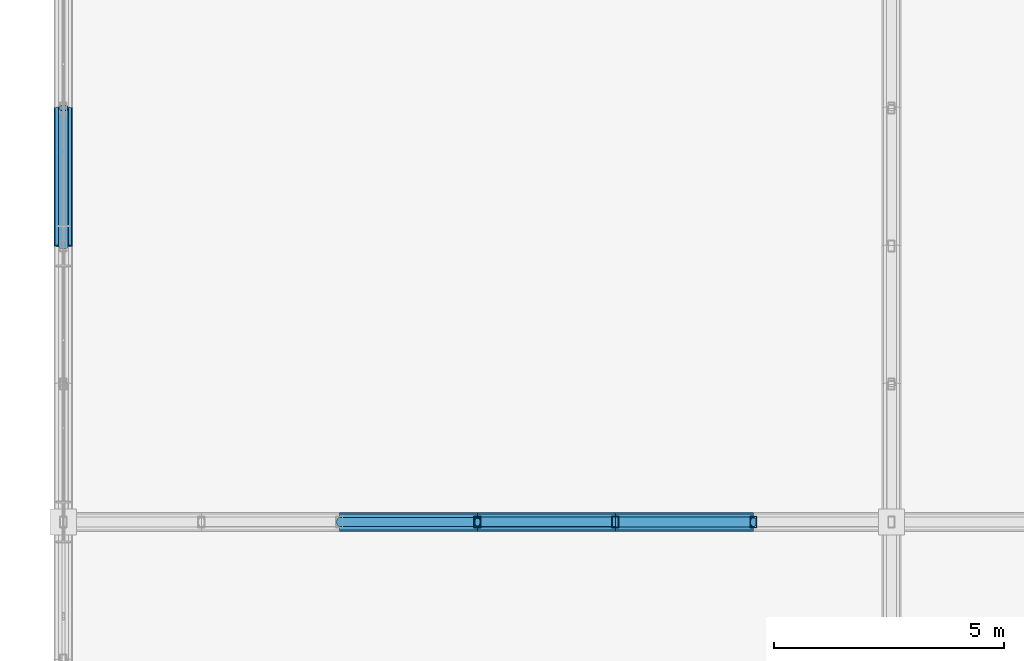
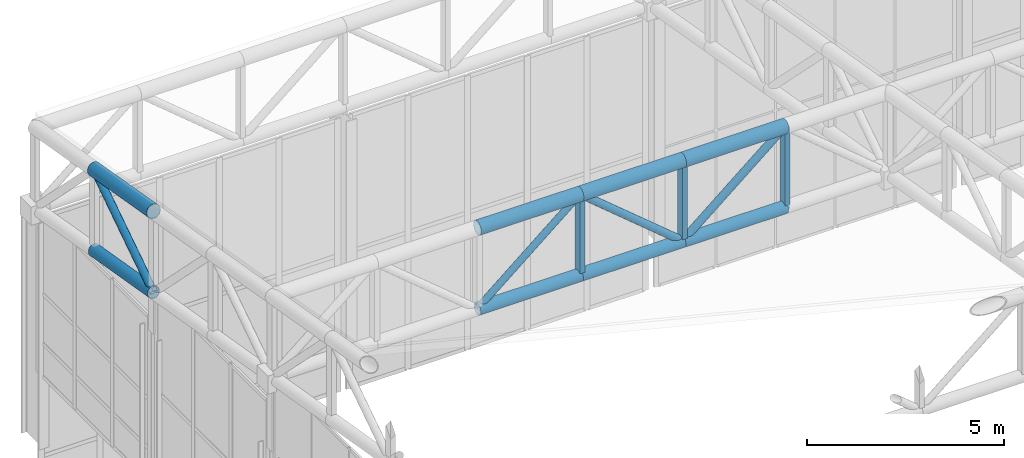
# One storey, part 101 of 239: 15 members.
"""IFC4 building model written with IfcOpenShell, lengths in metres."""

from ifc_helpers import new_model, si_unit, direction, frame, origin, origin_2d, place, context, subcontext, project, spatial, hollow_rectangle, hollow_circle, extrude, material, material_profile, profile_set, type_object, element, save


model = new_model("IFC4")

# Units and contexts
model_context = context("Model", 3, precision=1e-05, world=origin(), true_north=direction((0.0, 1.0)))
body_context = subcontext(model_context, "Body", "Model", "MODEL_VIEW")
ifc_project = project(units=[si_unit("LENGTHUNIT", "METRE"), si_unit("AREAUNIT", "SQUARE_METRE"), si_unit("VOLUMEUNIT", "CUBIC_METRE"), si_unit("PLANEANGLEUNIT", "RADIAN"), si_unit("MASSUNIT", "GRAM", prefix="KILO")], contexts=[model_context])

# Site, building, storey
site_placement = place(None, origin())
site = spatial("IfcSite", under=ifc_project, at=site_placement, CompositionType="ELEMENT")
building_placement = place(site_placement, origin())
building = spatial("IfcBuilding", under=site, at=building_placement, Name="Kaldris Quays Convention Centre", CompositionType="ELEMENT")
storey_placement = place(building_placement, frame((0.0, 0.0, 11.39990234375)))
storey = spatial("IfcBuildingStorey", under=building, at=storey_placement, Name="L02", CompositionType="ELEMENT", Elevation=11.39990234375)

# Members
ifc_material = material(Name="Steel S355J2H", Category="steel")
ifc_material_profile_1 = material_profile(ifc_material, hollow_circle(Radius=0.203125, WallThickness=0.01611328125, at=origin_2d()), Name="CHS 406.4x16")
ifc_profile_set_1 = profile_set([ifc_material_profile_1], Name="Steel S355J2H")
member_type_1 = type_object("IfcMemberType", Name="STRUCTURAL MEMBER SC01", PredefinedType="CHORD", material=ifc_profile_set_1)
for number, where, z_axis, x_axis, name in (
    (1, (26.0, 128.0, 11.72900390625), (1.0, 0.0, 0.0), (0.0, 1.0, 0.0), "SF-V1 Top Chord X 255"),
    (2, (29.0, 128.0, 11.72900390625), (1.0, 0.0, 0.0), (0.0, 1.0, 0.0), "SF-V1 Top Chord X 256"),
    (3, (32.0, 128.0, 11.72900390625), (1.0, 0.0, 0.0), (0.0, 1.0, 0.0), "SF-V1 Top Chord X 257"),
):
    element("IfcMember", number, at=place(storey_placement, frame(where, z_axis=z_axis, x_axis=x_axis)), inside=storey, type_object=member_type_1, Name=name, PredefinedType="CHORD", context=body_context, shape_type="SweptSolid", body=[
        extrude(hollow_circle(Radius=0.203125, WallThickness=0.01611328125, at=origin_2d()), origin(), (0.0, 0.0, 1.0), 3.0),
    ])
member_1_placement = place(storey_placement, frame((20.0, 134.0, 10.700439453125), z_axis=(0.0, 0.98562912375, -0.168923741424), x_axis=(-1.0, 0.0, 0.0)))
element("IfcMember", 4, at=member_1_placement, inside=storey, type_object=member_type_1, Name="SF-V1 Top Chord Y 363", PredefinedType="CHORD", context=body_context, shape_type="SweptSolid", body=[
    extrude(hollow_circle(Radius=0.203125, WallThickness=0.01611328125, at=origin_2d()), origin(), (0.0, 0.0, 1.0), 3.043701171875),
])
ifc_material_profile_2 = material_profile(ifc_material, hollow_circle(Radius=0.177734375, WallThickness=0.01611328125, at=origin_2d()), Name="CHS 355.6x16")
ifc_profile_set_2 = profile_set([ifc_material_profile_2], Name="Steel S355J2H")
member_type_2 = type_object("IfcMemberType", Name="STRUCTURAL MEMBER SC02", PredefinedType="CHORD", material=ifc_profile_set_2)
for number, where, z_axis, x_axis, name in (
    (5, (26.0, 128.0, 9.22900390625), (1.0, 0.0, 0.0), (0.0, 1.0, 0.0), "SF-V1 Bottom Chord X 255"),
    (6, (29.0, 128.0, 9.22900390625), (1.0, 0.0, 0.0), (0.0, 1.0, 0.0), "SF-V1 Bottom Chord X 256"),
    (7, (32.0, 128.0, 9.22900390625), (1.0, 0.0, 0.0), (0.0, 1.0, 0.0), "SF-V1 Bottom Chord X 257"),
):
    element("IfcMember", number, at=place(storey_placement, frame(where, z_axis=z_axis, x_axis=x_axis)), inside=storey, type_object=member_type_2, Name=name, PredefinedType="CHORD", context=body_context, shape_type="SweptSolid", body=[
        extrude(hollow_circle(Radius=0.177734375, WallThickness=0.01611328125, at=origin_2d()), origin(), (0.0, 0.0, 1.0), 3.0),
    ])
member_2_placement = place(storey_placement, frame((20.0, 134.0, 8.200439453125), z_axis=(0.0, 0.98562912375, -0.168923741424), x_axis=(-1.0, 0.0, 0.0)))
element("IfcMember", 8, at=member_2_placement, inside=storey, type_object=member_type_2, Name="SF-V1 Bottom Chord Y 363", PredefinedType="CHORD", context=body_context, shape_type="SweptSolid", body=[
    extrude(hollow_circle(Radius=0.177734375, WallThickness=0.01611328125, at=origin_2d()), origin(), (0.0, 0.0, 1.0), 3.043701171875),
])
ifc_material_profile_3 = material_profile(ifc_material, hollow_circle(Radius=0.109619140625, WallThickness=0.010009765625, at=origin_2d()), Name="CHS 219.1x10")
ifc_profile_set_3 = profile_set([ifc_material_profile_3], Name="Steel S355J2H")
member_type_3 = type_object("IfcMemberType", Name="STRUCTURAL MEMBER SWB1", PredefinedType="BRACE", material=ifc_profile_set_3)
for number, where, z_axis, x_axis, name in (
    (9, (32.0, 128.0, 9.22900390625), (-0.768221279597, 0.0, 0.640184399664), (0.0, -1.0, 0.0), "SF-V1 Web Diagonal X 256"),
    (10, (32.0, 128.0, 9.22900390625), (0.768221279597, 0.0, 0.640184399664), (0.0, 1.0, 0.0), "SF-V1 Web Diagonal X 257"),
):
    element("IfcMember", number, at=place(storey_placement, frame(where, z_axis=z_axis, x_axis=x_axis)), inside=storey, type_object=member_type_3, Name=name, PredefinedType="BRACE", context=body_context, shape_type="SweptSolid", body=[
        extrude(hollow_circle(Radius=0.109619140625, WallThickness=0.010009765625, at=origin_2d()), origin(), (0.0, 0.0, 1.0), 3.905029296875),
    ])
member_3_placement = place(storey_placement, frame((20.0, 134.0, 8.200439453125), z_axis=(0.0, 0.833862389808, 0.551972385962), x_axis=(-1.0, 0.0, 0.0)))
element("IfcMember", 11, at=member_3_placement, inside=storey, type_object=member_type_3, Name="SF-V1 Web Diagonal Y 363", PredefinedType="BRACE", context=body_context, shape_type="SweptSolid", body=[
    extrude(hollow_circle(Radius=0.109619140625, WallThickness=0.010009765625, at=origin_2d()), origin(), (0.0, 0.0, 1.0), 3.59765625),
])
ifc_material_profile_4 = material_profile(ifc_material, hollow_circle(Radius=0.096923828125, WallThickness=0.008056640625, at=origin_2d()), Name="CHS 193.7x8")
ifc_profile_set_4 = profile_set([ifc_material_profile_4], Name="Steel S355J2H")
member_type_4 = type_object("IfcMemberType", Name="STRUCTURAL MEMBER SWB3", PredefinedType="BRACE", material=ifc_profile_set_4)
member_4_placement = place(storey_placement, frame((26.0, 128.0, 9.22900390625), z_axis=(0.768221279597, 0.0, 0.640184399664), x_axis=(0.0, 1.0, 0.0)))
element("IfcMember", 12, at=member_4_placement, inside=storey, type_object=member_type_4, Name="SF-V1 Web Diagonal X 255", PredefinedType="BRACE", context=body_context, shape_type="SweptSolid", body=[
    extrude(hollow_circle(Radius=0.096923828125, WallThickness=0.008056640625, at=origin_2d()), origin(), (0.0, 0.0, 1.0), 3.905029296875),
])
ifc_material_profile_5 = material_profile(ifc_material, hollow_rectangle(XDim=0.14990234375, YDim=0.25, WallThickness=0.010009765625, at=origin_2d()), Name="RHS 250x150x10")
ifc_profile_set_5 = profile_set([ifc_material_profile_5], Name="Steel S355J2H")
member_type_5 = type_object("IfcMemberType", Name="STRUCTURAL MEMBER TTV1", PredefinedType="POST", material=ifc_profile_set_5)
for number, where, z_axis, x_axis, name in (
    (13, (29.0, 128.0, 9.22900390625), (0.0, 0.0, 1.0), (1.0, 0.0, 0.0), "SF-V1 Space-Frame Post 52"),
    (14, (32.0, 128.0, 9.22900390625), (0.0, 0.0, 1.0), (1.0, 0.0, 0.0), "SF-V1 Space-Frame Post 60"),
    (15, (35.0, 128.0, 9.22900390625), (0.0, 0.0, 1.0), (1.0, 0.0, 0.0), "SF-V1 Space-Frame Post 68"),
):
    element("IfcMember", number, at=place(storey_placement, frame(where, z_axis=z_axis, x_axis=x_axis)), inside=storey, type_object=member_type_5, Name=name, PredefinedType="POST", context=body_context, shape_type="SweptSolid", body=[
        extrude(hollow_rectangle(XDim=0.14990234375, YDim=0.25, WallThickness=0.010009765625, at=origin_2d()), origin(), (0.0, 0.0, 1.0), 2.5),
    ])

save(model, "model.ifc")
